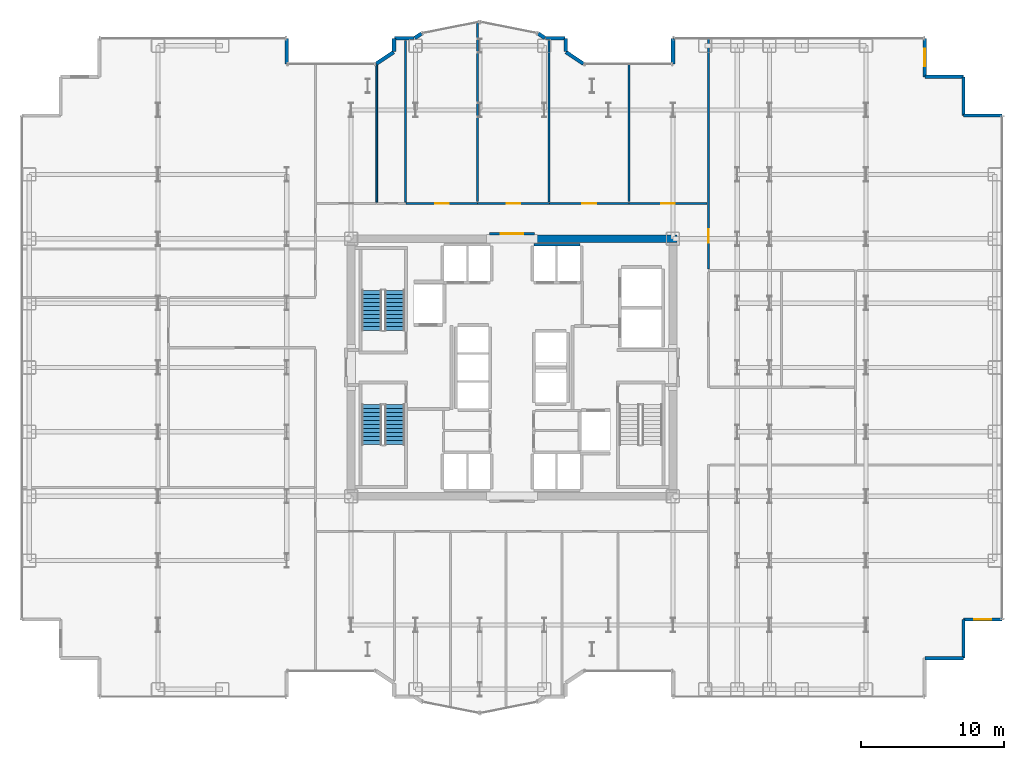
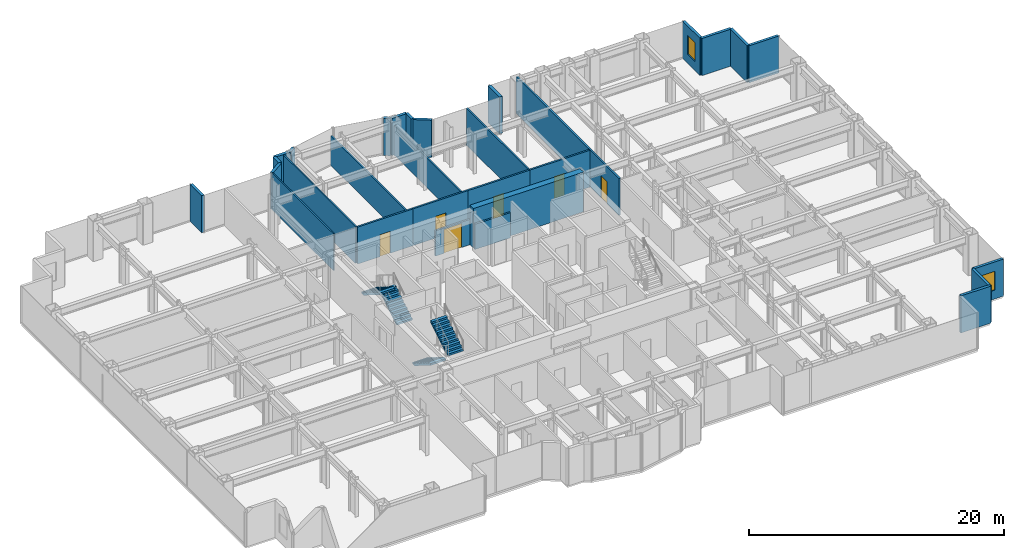
# One storey, part 24 of 26: 30 walls, 6 doors, 4 stair flights, 2 windows, 8 openings, 2 elements without a shape of their own.
"""IFC4 building model written with IfcOpenShell, lengths in metres."""

from ifc_helpers import new_model, si_unit, direction, frame, frame_2d, origin, place, context, subcontext, project, spatial, polyline, rectangle, outline, extrude, source, transform, mapped, material, layer, layer_set, type_object, element, fill, aggregate, save


model = new_model("IFC4")

# Units and contexts
model_context = context("Model", 3, precision=1e-05, world=origin(), true_north=direction((0.0, 1.0)))
body_context = subcontext(model_context, "Body", "Model", "MODEL_VIEW")
ifc_project = project(units=[si_unit("LENGTHUNIT", "METRE"), si_unit("AREAUNIT", "SQUARE_METRE"), si_unit("VOLUMEUNIT", "CUBIC_METRE"), si_unit("PLANEANGLEUNIT", "RADIAN"), si_unit("MASSUNIT", "GRAM", prefix="KILO")], contexts=[model_context])

# Site, building, storey
site_placement = place(None, origin())
site = spatial("IfcSite", under=ifc_project, at=site_placement, CompositionType="ELEMENT")
building_placement = place(site_placement, origin())
building = spatial("IfcBuilding", under=site, at=building_placement, Name="Nefas-Gora Pilgrimage Tower", CompositionType="ELEMENT")
storey_placement = place(building_placement, frame((0.0, 0.0, 94.60009765625)))
storey = spatial("IfcBuildingStorey", under=building, at=storey_placement, Name="L22", CompositionType="ELEMENT", Elevation=94.60009765625)

# Walls
ifc_material_1 = material(Name="Concrete C60/75", Category="concrete")
ifc_layer_1 = layer(ifc_material_1, 0.550048828125)
ifc_layer_set_1 = layer_set([ifc_layer_1], Name="Concrete C60/75")
wall_type_1 = type_object("IfcWallType", Name="SW-CORE-550", PredefinedType="SHEAR", material=ifc_layer_set_1)
shared_shape_1 = source(origin(), body_context, "Body", "SweptSolid", [
    extrude(rectangle(XDim=9.974853515625, YDim=0.550048828125, at=frame_2d((4.9873046875, 0.0))), origin(), (0.0, 0.0, 1.0), 3.7998046875),
])
wall_1_placement = place(storey_placement, frame((1.550048828125, 9.0, 0.0), z_axis=(0.0, 0.0, 1.0), x_axis=(1.0, 0.0, 0.0)))
element("IfcWall", 1, at=wall_1_placement, inside=storey, type_object=wall_type_1, Name="L22 Core Shear Wall N-East", PredefinedType="SHEAR", context=body_context, shape_type="MappedRepresentation", body=[
    mapped(shared_shape_1, transform((0.0, 0.0, 0.0), x_axis=(1.0, 0.0, 0.0), y_axis=(0.0, 1.0, 0.0), z_axis=(0.0, 0.0, 1.0), scale=1.0)),
])
ifc_material_2 = material(Name="Precast concrete C40/50", Category="concrete")
ifc_layer_2 = layer(ifc_material_2, 0.260009765625)
ifc_layer_set_2 = layer_set([ifc_layer_2], Name="Precast concrete C40/50")
wall_type_2 = type_object("IfcWallType", Name="EW-PORTAL-260", PredefinedType="SOLIDWALL", material=ifc_layer_set_2)
shared_shape_2 = source(origin(), body_context, "Body", "SweptSolid", [
    extrude(rectangle(XDim=1.800048828125, YDim=0.260009765625, at=frame_2d((0.89990234375, 0.0))), origin(), (0.0, 0.0, 1.0), 3.5498046875),
])
for number, where, z_axis, x_axis, name in (
    (2, (11.25, 23.02001953125, 0.0), (0.0, 0.0, 1.0), (0.0, -1.0, 0.0), "L22 Lobe Shoulder Precast Spandrel Pier 10"),
    (3, (-15.75, 21.219970703125, 0.0), (0.0, 0.0, 1.0), (0.0, 1.0, 0.0), "L22 Lobe Shoulder Precast Spandrel Pier 19"),
):
    element("IfcWall", number, at=place(storey_placement, frame(where, z_axis=z_axis, x_axis=x_axis)), inside=storey, type_object=wall_type_2, Name=name, PredefinedType="SOLIDWALL", context=body_context, shape_type="MappedRepresentation", body=[
        mapped(shared_shape_2, transform((0.0, 0.0, 0.0), x_axis=(1.0, 0.0, 0.0), y_axis=(0.0, 1.0, 0.0), z_axis=(0.0, 0.0, 1.0), scale=1.0)),
    ])
ifc_material_3 = material(Name="Precast concrete C45/55", Category="concrete")
ifc_layer_3 = layer(ifc_material_3, 0.239990234375)
ifc_layer_set_3 = layer_set([ifc_layer_3], Name="Precast concrete C45/55")
wall_type_3 = type_object("IfcWallType", Name="EW-SERR-240", PredefinedType="SHEAR", material=ifc_layer_set_3)
shared_shape_3 = source(origin(), body_context, "Body", "SweptSolid", [
    extrude(rectangle(XDim=2.699951171875, YDim=0.239990234375, at=frame_2d((1.35009765625, 0.0))), origin(), (0.0, 0.0, 1.0), 3.5498046875),
])
for number, where, z_axis, x_axis, name in (
    (4, (28.8701171875, -20.320068359375, 0.0), (0.0, 0.0, 1.0), (1.0, 0.0, 0.0), "L22 Serrated Corner Shear Pier Wall 3"),
    (5, (31.570068359375, -20.320068359375, 0.0), (0.0, 0.0, 1.0), (0.0, 1.0, 0.0), "L22 Serrated Corner Shear Pier Wall 4"),
):
    element("IfcWall", number, at=place(storey_placement, frame(where, z_axis=z_axis, x_axis=x_axis)), inside=storey, type_object=wall_type_3, Name=name, PredefinedType="SHEAR", context=body_context, shape_type="MappedRepresentation", body=[
        mapped(shared_shape_3, transform((0.0, 0.0, 0.0), x_axis=(1.0, 0.0, 0.0), y_axis=(0.0, 1.0, 0.0), z_axis=(0.0, 0.0, 1.0), scale=1.0)),
    ])

# Wall, opening, window
wall_2_placement = place(storey_placement, frame((31.570068359375, -17.6201171875, 0.0), z_axis=(0.0, 0.0, 1.0), x_axis=(1.0, 0.0, 0.0)))
wall_2 = element("IfcWall", 6, at=wall_2_placement, inside=storey, type_object=wall_type_3, Name="L22 Serrated Corner Shear Pier Wall 5", PredefinedType="SHEAR", context=body_context, shape_type="MappedRepresentation", body=[
    mapped(shared_shape_3, transform((0.0, 0.0, 0.0), x_axis=(1.0, 0.0, 0.0), y_axis=(0.0, 1.0, 0.0), z_axis=(0.0, 0.0, 1.0), scale=1.0)),
])
opening_1_placement = place(wall_2_placement, frame((0.75, 0.0, 0.85009765625)))
opening_1 = element("IfcOpeningElement", 7, at=opening_1_placement, cuts=wall_2, Name="Opening W-V1", PredefinedType="OPENING", context=body_context, shape_type="SweptSolid", body=[
    extrude(rectangle(XDim=1.199951171875, YDim=1.800048828125, at=frame_2d((0.60009765625, 0.89990234375))), frame((0.0, 0.1298828125, 0.0), z_axis=(0.0, -1.0, 0.0), x_axis=(1.0, 0.0, 0.0)), (0.0, 0.0, 1.0), 0.260009765625),
])
ifc_material_4 = material(Name="Dark ceramic-fritted operable aluminium-glass window", Category="aluminium")
window_type = type_object("IfcWindowType", Name="WIN-VENT-1200x1800", PartitioningType="SINGLE_PANEL", PredefinedType="WINDOW", material=ifc_material_4)
shared_shape_4 = source(origin(), body_context, "Body", "SweptSolid", [
    extrude(rectangle(XDim=1.199951171875, YDim=1.800048828125, at=frame_2d((0.60009765625, 0.89990234375))), frame((0.0, 0.030029296875, 0.0), z_axis=(0.0, -1.0, 0.0), x_axis=(1.0, 0.0, 0.0)), (0.0, 0.0, 1.0), 0.06005859375),
])
window_1_placement = place(opening_1_placement, origin())
window_1 = element("IfcWindow", 8, at=window_1_placement, inside=storey, type_object=window_type, Name="L22 Operable Parallel-Outswing Window 5", OverallHeight=1.800048828125, OverallWidth=1.199951171875, PartitioningType="SINGLE_PANEL", PredefinedType="WINDOW", context=body_context, shape_type="MappedRepresentation", body=[
    mapped(shared_shape_4, transform((0.0, 0.0, 0.0), x_axis=(1.0, 0.0, 0.0), y_axis=(0.0, 1.0, 0.0), z_axis=(0.0, 0.0, 1.0), scale=1.0)),
])
fill(opening_1, window_1)

# Walls
for number, where, z_axis, x_axis, name in (
    (9, (34.27001953125, 17.6201171875, 0.0), (0.0, 0.0, 1.0), (-1.0, 0.0, 0.0), "L22 Serrated Corner Shear Pier Wall 6"),
    (10, (31.570068359375, 17.6201171875, 0.0), (0.0, 0.0, 1.0), (0.0, 1.0, 0.0), "L22 Serrated Corner Shear Pier Wall 7"),
    (11, (31.570068359375, 20.320068359375, 0.0), (0.0, 0.0, 1.0), (-1.0, 0.0, 0.0), "L22 Serrated Corner Shear Pier Wall 8"),
):
    element("IfcWall", number, at=place(storey_placement, frame(where, z_axis=z_axis, x_axis=x_axis)), inside=storey, type_object=wall_type_3, Name=name, PredefinedType="SHEAR", context=body_context, shape_type="MappedRepresentation", body=[
        mapped(shared_shape_3, transform((0.0, 0.0, 0.0), x_axis=(1.0, 0.0, 0.0), y_axis=(0.0, 1.0, 0.0), z_axis=(0.0, 0.0, 1.0), scale=1.0)),
    ])

# Wall, opening, window
wall_3_placement = place(storey_placement, frame((28.8701171875, 20.320068359375, 0.0), z_axis=(0.0, 0.0, 1.0), x_axis=(0.0, 1.0, 0.0)))
wall_3 = element("IfcWall", 12, at=wall_3_placement, inside=storey, type_object=wall_type_3, Name="L22 Serrated Corner Shear Pier Wall 9", PredefinedType="SHEAR", context=body_context, shape_type="MappedRepresentation", body=[
    mapped(shared_shape_3, transform((0.0, 0.0, 0.0), x_axis=(1.0, 0.0, 0.0), y_axis=(0.0, 1.0, 0.0), z_axis=(0.0, 0.0, 1.0), scale=1.0)),
])
opening_2_placement = place(wall_3_placement, frame((0.75, 0.0, 0.85009765625)))
opening_2 = element("IfcOpeningElement", 13, at=opening_2_placement, cuts=wall_3, Name="Opening W-V1", PredefinedType="OPENING", context=body_context, shape_type="SweptSolid", body=[
    extrude(rectangle(XDim=1.199951171875, YDim=1.800048828125, at=frame_2d((0.60009765625, 0.89990234375))), frame((0.0, 0.1298828125, 0.0), z_axis=(0.0, -1.0, 0.0), x_axis=(1.0, 0.0, 0.0)), (0.0, 0.0, 1.0), 0.260009765625),
])
window_2_placement = place(opening_2_placement, origin())
window_2 = element("IfcWindow", 14, at=window_2_placement, inside=storey, type_object=window_type, Name="L22 Operable Parallel-Outswing Window 9", OverallHeight=1.800048828125, OverallWidth=1.199951171875, PartitioningType="SINGLE_PANEL", PredefinedType="WINDOW", context=body_context, shape_type="MappedRepresentation", body=[
    mapped(shared_shape_4, transform((0.0, 0.0, 0.0), x_axis=(1.0, 0.0, 0.0), y_axis=(0.0, 1.0, 0.0), z_axis=(0.0, 0.0, 1.0), scale=1.0)),
])
fill(opening_2, window_2)

# Walls
shared_shape_5 = source(origin(), body_context, "Body", "SweptSolid", [
    extrude(rectangle(XDim=1.468994140625, YDim=0.260009765625, at=frame_2d((0.734375, 0.0))), origin(), (0.0, 0.0, 1.0), 3.5498046875),
])
for number, where, z_axis, x_axis, name in (
    (15, (4.99462890625, 21.235595703125, 0.0), (0.0, 0.0, 1.0), (-0.831461760506, 0.555581983884, 0.0), "L22 Lobe Shoulder Precast Spandrel Pier 11"),
    (16, (-8.273193359375, 22.0517578125, 0.0), (0.0, 0.0, 1.0), (-0.831461760506, -0.555581983884, 0.0), "L22 Lobe Shoulder Precast Spandrel Pier 18"),
):
    element("IfcWall", number, at=place(storey_placement, frame(where, z_axis=z_axis, x_axis=x_axis)), inside=storey, type_object=wall_type_2, Name=name, PredefinedType="SOLIDWALL", context=body_context, shape_type="MappedRepresentation", body=[
        mapped(shared_shape_5, transform((0.0, 0.0, 0.0), x_axis=(1.0, 0.0, 0.0), y_axis=(0.0, 1.0, 0.0), z_axis=(0.0, 0.0, 1.0), scale=1.0)),
    ])
shared_shape_6 = source(origin(), body_context, "Body", "SweptSolid", [
    extrude(rectangle(XDim=0.896728515625, YDim=0.260009765625, at=frame_2d((0.4482421875, 0.0))), origin(), (0.0, 0.0, 1.0), 3.5498046875),
])
for number, where, z_axis, x_axis, name in (
    (17, (3.75, 22.09521484375, 0.0), (0.0, 0.0, 1.0), (0.0, 1.0, 0.0), "L22 Lobe Shoulder Precast Spandrel Pier 12"),
    (18, (-8.25, 22.991943359375, 0.0), (0.0, 0.0, 1.0), (0.0, -1.0, 0.0), "L22 Lobe Shoulder Precast Spandrel Pier 17"),
):
    element("IfcWall", number, at=place(storey_placement, frame(where, z_axis=z_axis, x_axis=x_axis)), inside=storey, type_object=wall_type_2, Name=name, PredefinedType="SOLIDWALL", context=body_context, shape_type="MappedRepresentation", body=[
        mapped(shared_shape_6, transform((0.0, 0.0, 0.0), x_axis=(1.0, 0.0, 0.0), y_axis=(0.0, 1.0, 0.0), z_axis=(0.0, 0.0, 1.0), scale=1.0)),
    ])
shared_shape_7 = source(origin(), body_context, "Body", "SweptSolid", [
    extrude(rectangle(XDim=1.369873046875, YDim=0.260009765625, at=frame_2d((0.68505859375, 0.0))), origin(), (0.0, 0.0, 1.0), 3.5498046875),
])
for number, where, z_axis, x_axis, name in (
    (19, (3.721923828125, 23.02001953125, 0.0), (0.0, 0.0, 1.0), (-1.0, 0.0, 0.0), "L22 Lobe Shoulder Precast Spandrel Pier 13"),
    (20, (-6.85205078125, 23.02001953125, 0.0), (0.0, 0.0, 1.0), (-1.0, 0.0, 0.0), "L22 Lobe Shoulder Precast Spandrel Pier 16"),
):
    element("IfcWall", number, at=place(storey_placement, frame(where, z_axis=z_axis, x_axis=x_axis)), inside=storey, type_object=wall_type_2, Name=name, PredefinedType="SOLIDWALL", context=body_context, shape_type="MappedRepresentation", body=[
        mapped(shared_shape_7, transform((0.0, 0.0, 0.0), x_axis=(1.0, 0.0, 0.0), y_axis=(0.0, 1.0, 0.0), z_axis=(0.0, 0.0, 1.0), scale=1.0)),
    ])
shared_shape_8 = source(origin(), body_context, "Body", "SweptSolid", [
    extrude(rectangle(XDim=0.5654296875, YDim=0.260009765625, at=frame_2d((0.28271484375, 0.0))), origin(), (0.0, 0.0, 1.0), 3.5498046875),
])
for number, where, z_axis, x_axis, name in (
    (21, (2.30078125, 23.03564453125, 0.0), (0.0, 0.0, 1.0), (-0.831651492666, 0.555297933317, 0.0), "L22 Lobe Shoulder Precast Spandrel Pier 14"),
    (22, (-6.33056640625, 23.349609375, 0.0), (0.0, 0.0, 1.0), (-0.831651492666, -0.555297933317, 0.0), "L22 Lobe Shoulder Precast Spandrel Pier 15"),
):
    element("IfcWall", number, at=place(storey_placement, frame(where, z_axis=z_axis, x_axis=x_axis)), inside=storey, type_object=wall_type_2, Name=name, PredefinedType="SOLIDWALL", context=body_context, shape_type="MappedRepresentation", body=[
        mapped(shared_shape_8, transform((0.0, 0.0, 0.0), x_axis=(1.0, 0.0, 0.0), y_axis=(0.0, 1.0, 0.0), z_axis=(0.0, 0.0, 1.0), scale=1.0)),
    ])
ifc_material_5 = material(Name="Gypsum acoustic stud partition")
ifc_layer_4 = layer(ifc_material_5, 0.159912109375)
ifc_layer_set_4 = layer_set([ifc_layer_4], Name="Gypsum acoustic stud partition")
wall_type_4 = type_object("IfcWallType", Name="IW-CORR-160", PredefinedType="PARTITIONING", material=ifc_layer_set_4)
shared_shape_9 = source(origin(), body_context, "Body", "SweptSolid", [
    extrude(rectangle(XDim=3.199951171875, YDim=0.159912109375, at=frame_2d((1.60009765625, 0.0))), origin(), (0.0, 0.0, 1.0), 2.4248046875),
])
wall_4_placement = place(storey_placement, frame((4.75, 8.580078125, 0.0), z_axis=(0.0, 0.0, 1.0), x_axis=(-1.0, 0.0, 0.0)))
element("IfcWall", 23, at=wall_4_placement, inside=storey, type_object=wall_type_4, Name="L22 Hoistway Wall PL1-E-N", PredefinedType="PARTITIONING", context=body_context, shape_type="MappedRepresentation", body=[
    mapped(shared_shape_9, transform((0.0, 0.0, 0.0), x_axis=(1.0, 0.0, 0.0), y_axis=(0.0, 1.0, 0.0), z_axis=(0.0, 0.0, 1.0), scale=1.0)),
])
ifc_material_6 = material(Name="Moisture-resistant fire-rated gypsum partition")
ifc_layer_5 = layer(ifc_material_6, 0.1201171875)
ifc_layer_set_5 = layer_set([ifc_layer_5], Name="Moisture-resistant fire-rated gypsum partition")
wall_type_5 = type_object("IfcWallType", Name="IW-WET-120", PredefinedType="PLUMBINGWALL", material=ifc_layer_set_5)
shared_shape_10 = source(origin(), body_context, "Body", "SweptSolid", [
    extrude(rectangle(XDim=11.280029296875, YDim=0.1201171875, at=frame_2d((5.64013671875, 0.0))), origin(), (0.0, 0.0, 1.0), 3.534912109375),
])
wall_5_placement = place(storey_placement, frame((-7.449951171875, 11.570068359375, 0.0), z_axis=(0.0, 0.0, 1.0), x_axis=(0.0, 1.0, 0.0)))
element("IfcWall", 24, at=wall_5_placement, inside=storey, type_object=wall_type_5, Name="L22 Accessible Unisex WC Partition Wall 26", PredefinedType="PLUMBINGWALL", context=body_context, shape_type="MappedRepresentation", body=[
    mapped(shared_shape_10, transform((0.0, 0.0, 0.0), x_axis=(1.0, 0.0, 0.0), y_axis=(0.0, 1.0, 0.0), z_axis=(0.0, 0.0, 1.0), scale=1.0)),
])
shared_shape_11 = source(origin(), body_context, "Body", "SweptSolid", [
    extrude(rectangle(XDim=9.586669921875, YDim=0.1201171875, at=frame_2d((4.79345703125, 0.0))), origin(), (0.0, 0.0, 1.0), 3.534912109375),
])
wall_6_placement = place(storey_placement, frame((-9.449951171875, 11.570068359375, 0.0), z_axis=(0.0, 0.0, 1.0), x_axis=(0.0, 1.0, 0.0)))
element("IfcWall", 25, at=wall_6_placement, inside=storey, type_object=wall_type_5, Name="L22 Accessible Unisex WC Partition Wall 27", PredefinedType="PLUMBINGWALL", context=body_context, shape_type="MappedRepresentation", body=[
    mapped(shared_shape_11, transform((0.0, 0.0, 0.0), x_axis=(1.0, 0.0, 0.0), y_axis=(0.0, 1.0, 0.0), z_axis=(0.0, 0.0, 1.0), scale=1.0)),
])
ifc_material_7 = material(Name="Gypsum twin-stud partition")
ifc_layer_6 = layer(ifc_material_7, 0.139892578125)
ifc_layer_set_6 = layer_set([ifc_layer_6], Name="Gypsum twin-stud partition")
wall_type_6 = type_object("IfcWallType", Name="IW-UNIT-140", PredefinedType="PARTITIONING", material=ifc_layer_set_6)
shared_shape_12 = source(origin(), body_context, "Body", "SweptSolid", [
    extrude(rectangle(XDim=11.260009765625, YDim=0.139892578125, at=frame_2d((5.6298828125, 0.0))), origin(), (0.0, 0.0, 1.0), 2.824951171875),
])
wall_7_placement = place(storey_placement, frame((2.594970703125, 11.590087890625, 0.0), z_axis=(0.0, 0.0, 1.0), x_axis=(0.0, 1.0, 0.0)))
element("IfcWall", 26, at=wall_7_placement, inside=storey, type_object=wall_type_6, Name="L22 Pilgrim Contemplative Lounge Partition Wall 52", PredefinedType="PARTITIONING", context=body_context, shape_type="MappedRepresentation", body=[
    mapped(shared_shape_12, transform((0.0, 0.0, 0.0), x_axis=(1.0, 0.0, 0.0), y_axis=(0.0, 1.0, 0.0), z_axis=(0.0, 0.0, 1.0), scale=1.0)),
])
shared_shape_13 = source(origin(), body_context, "Body", "SweptSolid", [
    extrude(rectangle(XDim=9.64990234375, YDim=0.139892578125, at=frame_2d((4.824951171875, 0.0))), origin(), (0.0, 0.0, 1.0), 3.534912109375),
])
wall_8_placement = place(storey_placement, frame((8.195068359375, 11.590087890625, 0.0), z_axis=(0.0, 0.0, 1.0), x_axis=(0.0, 1.0, 0.0)))
element("IfcWall", 27, at=wall_8_placement, inside=storey, type_object=wall_type_6, Name="L22 Pilgrim Contemplative Lounge Partition Wall 54", PredefinedType="PARTITIONING", context=body_context, shape_type="MappedRepresentation", body=[
    mapped(shared_shape_13, transform((0.0, 0.0, 0.0), x_axis=(1.0, 0.0, 0.0), y_axis=(0.0, 1.0, 0.0), z_axis=(0.0, 0.0, 1.0), scale=1.0)),
])

# Wall, opening, door
shared_shape_14 = source(origin(), body_context, "Body", "SweptSolid", [
    extrude(rectangle(XDim=5.425048828125, YDim=0.159912109375, at=frame_2d((2.71240234375, 0.0))), origin(), (0.0, 0.0, 1.0), 3.534912109375),
])
wall_9_placement = place(storey_placement, frame((8.195068359375, 11.469970703125, 0.0), z_axis=(0.0, 0.0, 1.0), x_axis=(1.0, 0.0, 0.0)))
wall_9 = element("IfcWall", 28, at=wall_9_placement, inside=storey, type_object=wall_type_4, Name="L22 Pilgrim Contemplative Lounge Partition Wall 55", PredefinedType="PARTITIONING", context=body_context, shape_type="MappedRepresentation", body=[
    mapped(shared_shape_14, transform((0.0, 0.0, 0.0), x_axis=(1.0, 0.0, 0.0), y_axis=(0.0, 1.0, 0.0), z_axis=(0.0, 0.0, 1.0), scale=1.0)),
])
opening_3_placement = place(wall_9_placement, frame((2.237548828125, 0.0, 0.0)))
opening_3 = element("IfcOpeningElement", 29, at=opening_3_placement, cuts=wall_9, Name="Opening ID-GR1", PredefinedType="OPENING", context=body_context, shape_type="SweptSolid", body=[
    extrude(rectangle(XDim=0.949951171875, YDim=2.10009765625, at=frame_2d((0.47509765625, 1.050048828125))), frame((0.0, 0.08984375, 0.0), z_axis=(0.0, -1.0, 0.0), x_axis=(1.0, 0.0, 0.0)), (0.0, 0.0, 1.0), 0.179931640625),
])
ifc_material_8 = material(Name="Solid core oak fire-rated guest entrance door")
door_type_1 = type_object("IfcDoorType", Name="DR-INT-GUEST-950", OperationType="NOTDEFINED", PredefinedType="DOOR", material=ifc_material_8)
shared_shape_15 = source(origin(), body_context, "Body", "SweptSolid", [
    extrude(rectangle(XDim=0.949951171875, YDim=2.10009765625, at=frame_2d((0.47509765625, 1.050048828125))), frame((0.0, 0.02490234375, 0.0), z_axis=(0.0, -1.0, 0.0), x_axis=(1.0, 0.0, 0.0)), (0.0, 0.0, 1.0), 0.050048828125),
])
door_1_placement = place(opening_3_placement, origin())
door_1 = element("IfcDoor", 30, at=door_1_placement, inside=storey, type_object=door_type_1, Name="L22 Pilgrim Contemplative Lounge Door 25", OperationType="SINGLE_SWING_LEFT", OverallHeight=2.10009765625, OverallWidth=0.949951171875, PredefinedType="DOOR", context=body_context, shape_type="MappedRepresentation", body=[
    mapped(shared_shape_15, transform((0.0, 0.0, 0.0), x_axis=(1.0, 0.0, 0.0), y_axis=(0.0, 1.0, 0.0), z_axis=(0.0, 0.0, 1.0), scale=1.0)),
])
fill(opening_3, door_1)

shared_shape_16 = source(origin(), body_context, "Body", "SweptSolid", [
    extrude(rectangle(XDim=16.135009765625, YDim=0.159912109375, at=frame_2d((8.0673828125, 0.0))), origin(), (0.0, 0.0, 1.0), 3.534912109375),
])
wall_10_placement = place(storey_placement, frame((13.739990234375, 6.905029296875, 0.0), z_axis=(0.0, 0.0, 1.0), x_axis=(0.0, 1.0, 0.0)))
wall_10 = element("IfcWall", 31, at=wall_10_placement, inside=storey, type_object=wall_type_4, Name="L22 Pilgrim Contemplative Lounge Partition Wall 47", PredefinedType="PARTITIONING", context=body_context, shape_type="MappedRepresentation", body=[
    mapped(shared_shape_16, transform((0.0, 0.0, 0.0), x_axis=(1.0, 0.0, 0.0), y_axis=(0.0, 1.0, 0.0), z_axis=(0.0, 0.0, 1.0), scale=1.0)),
])
opening_4_placement = place(wall_10_placement, frame((1.827392578125, 0.0, 0.0)))
opening_4 = element("IfcOpeningElement", 32, at=opening_4_placement, cuts=wall_10, Name="Opening ID-GR1", PredefinedType="OPENING", context=body_context, shape_type="SweptSolid", body=[
    extrude(rectangle(XDim=0.949951171875, YDim=2.10009765625, at=frame_2d((0.47509765625, 1.050048828125))), frame((0.0, 0.08984375, 0.0), z_axis=(0.0, -1.0, 0.0), x_axis=(1.0, 0.0, 0.0)), (0.0, 0.0, 1.0), 0.179931640625),
])
door_2_placement = place(opening_4_placement, origin())
door_2 = element("IfcDoor", 33, at=door_2_placement, inside=storey, type_object=door_type_1, Name="L22 Pilgrim Contemplative Lounge Door 20", OperationType="SINGLE_SWING_RIGHT", OverallHeight=2.10009765625, OverallWidth=0.949951171875, PredefinedType="DOOR", context=body_context, shape_type="MappedRepresentation", body=[
    mapped(shared_shape_15, transform((0.0, 0.0, 0.0), x_axis=(1.0, 0.0, 0.0), y_axis=(0.0, 1.0, 0.0), z_axis=(0.0, 0.0, 1.0), scale=1.0)),
])
fill(opening_4, door_2)

shared_shape_17 = source(origin(), body_context, "Body", "SweptSolid", [
    extrude(rectangle(XDim=5.005126953125, YDim=0.159912109375, at=frame_2d((2.50244140625, 0.0))), origin(), (0.0, 0.0, 1.0), 3.534912109375),
])
wall_11_placement = place(storey_placement, frame((-7.405029296875, 11.469970703125, 0.0), z_axis=(0.0, 0.0, 1.0), x_axis=(1.0, 0.0, 0.0)))
wall_11 = element("IfcWall", 34, at=wall_11_placement, inside=storey, type_object=wall_type_4, Name="L22 Pilgrim Contemplative Lounge Partition Wall 49", PredefinedType="PARTITIONING", context=body_context, shape_type="MappedRepresentation", body=[
    mapped(shared_shape_17, transform((0.0, 0.0, 0.0), x_axis=(1.0, 0.0, 0.0), y_axis=(0.0, 1.0, 0.0), z_axis=(0.0, 0.0, 1.0), scale=1.0)),
])
opening_5_placement = place(wall_11_placement, frame((2.027587890625, 0.0, 0.0)))
opening_5 = element("IfcOpeningElement", 35, at=opening_5_placement, cuts=wall_11, Name="Opening ID-GR1", PredefinedType="OPENING", context=body_context, shape_type="SweptSolid", body=[
    extrude(rectangle(XDim=0.949951171875, YDim=2.10009765625, at=frame_2d((0.47509765625, 1.050048828125))), frame((0.0, 0.08984375, 0.0), z_axis=(0.0, -1.0, 0.0), x_axis=(1.0, 0.0, 0.0)), (0.0, 0.0, 1.0), 0.179931640625),
])
door_3_placement = place(opening_5_placement, origin())
door_3 = element("IfcDoor", 36, at=door_3_placement, inside=storey, type_object=door_type_1, Name="L22 Pilgrim Contemplative Lounge Door 22", OperationType="SINGLE_SWING_RIGHT", OverallHeight=2.10009765625, OverallWidth=0.949951171875, PredefinedType="DOOR", context=body_context, shape_type="MappedRepresentation", body=[
    mapped(shared_shape_15, transform((0.0, 0.0, 0.0), x_axis=(1.0, 0.0, 0.0), y_axis=(0.0, 1.0, 0.0), z_axis=(0.0, 0.0, 1.0), scale=1.0)),
])
fill(opening_5, door_3)

# Wall
shared_shape_18 = source(origin(), body_context, "Body", "SweptSolid", [
    extrude(rectangle(XDim=12.57470703125, YDim=0.139892578125, at=frame_2d((6.287353515625, 0.0))), origin(), (0.0, 0.0, 1.0), 2.824951171875),
])
wall_12_placement = place(storey_placement, frame((-2.409912109375, 11.590087890625, 0.0), z_axis=(0.0, 0.0, 1.0), x_axis=(0.0, 1.0, 0.0)))
element("IfcWall", 37, at=wall_12_placement, inside=storey, type_object=wall_type_6, Name="L22 Pilgrim Contemplative Lounge Partition Wall 50", PredefinedType="PARTITIONING", context=body_context, shape_type="MappedRepresentation", body=[
    mapped(shared_shape_18, transform((0.0, 0.0, 0.0), x_axis=(1.0, 0.0, 0.0), y_axis=(0.0, 1.0, 0.0), z_axis=(0.0, 0.0, 1.0), scale=1.0)),
])

# Wall, opening, door
shared_shape_19 = source(origin(), body_context, "Body", "SweptSolid", [
    extrude(rectangle(XDim=5.0048828125, YDim=0.159912109375, at=frame_2d((2.50244140625, 0.0))), origin(), (0.0, 0.0, 1.0), 3.534912109375),
])
wall_13_placement = place(storey_placement, frame((-2.39990234375, 11.469970703125, 0.0), z_axis=(0.0, 0.0, 1.0), x_axis=(1.0, 0.0, 0.0)))
wall_13 = element("IfcWall", 38, at=wall_13_placement, inside=storey, type_object=wall_type_4, Name="L22 Pilgrim Contemplative Lounge Partition Wall 51", PredefinedType="PARTITIONING", context=body_context, shape_type="MappedRepresentation", body=[
    mapped(shared_shape_19, transform((0.0, 0.0, 0.0), x_axis=(1.0, 0.0, 0.0), y_axis=(0.0, 1.0, 0.0), z_axis=(0.0, 0.0, 1.0), scale=1.0)),
])
opening_6_placement = place(wall_13_placement, frame((2.027587890625, 0.0, 0.0)))
opening_6 = element("IfcOpeningElement", 39, at=opening_6_placement, cuts=wall_13, Name="Opening ID-GR1", PredefinedType="OPENING", context=body_context, shape_type="SweptSolid", body=[
    extrude(rectangle(XDim=0.949951171875, YDim=2.10009765625, at=frame_2d((0.47509765625, 1.050048828125))), frame((0.0, 0.08984375, 0.0), z_axis=(0.0, -1.0, 0.0), x_axis=(1.0, 0.0, 0.0)), (0.0, 0.0, 1.0), 0.179931640625),
])
door_4_placement = place(opening_6_placement, origin())
door_4 = element("IfcDoor", 40, at=door_4_placement, inside=storey, type_object=door_type_1, Name="L22 Pilgrim Contemplative Lounge Door 23", OperationType="SINGLE_SWING_LEFT", OverallHeight=2.10009765625, OverallWidth=0.949951171875, PredefinedType="DOOR", context=body_context, shape_type="MappedRepresentation", body=[
    mapped(shared_shape_15, transform((0.0, 0.0, 0.0), x_axis=(1.0, 0.0, 0.0), y_axis=(0.0, 1.0, 0.0), z_axis=(0.0, 0.0, 1.0), scale=1.0)),
])
fill(opening_6, door_4)

shared_shape_20 = source(origin(), body_context, "Body", "SweptSolid", [
    extrude(rectangle(XDim=5.610107421875, YDim=0.159912109375, at=frame_2d((2.80517578125, 0.0))), origin(), (0.0, 0.0, 1.0), 3.534912109375),
])
wall_14_placement = place(storey_placement, frame((2.594970703125, 11.469970703125, 0.0), z_axis=(0.0, 0.0, 1.0), x_axis=(1.0, 0.0, 0.0)))
wall_14 = element("IfcWall", 41, at=wall_14_placement, inside=storey, type_object=wall_type_4, Name="L22 Pilgrim Contemplative Lounge Partition Wall 53", PredefinedType="PARTITIONING", context=body_context, shape_type="MappedRepresentation", body=[
    mapped(shared_shape_20, transform((0.0, 0.0, 0.0), x_axis=(1.0, 0.0, 0.0), y_axis=(0.0, 1.0, 0.0), z_axis=(0.0, 0.0, 1.0), scale=1.0)),
])
opening_7_placement = place(wall_14_placement, frame((2.330078125, 0.0, 0.0)))
opening_7 = element("IfcOpeningElement", 42, at=opening_7_placement, cuts=wall_14, Name="Opening ID-GR1", PredefinedType="OPENING", context=body_context, shape_type="SweptSolid", body=[
    extrude(rectangle(XDim=0.949951171875, YDim=2.10009765625, at=frame_2d((0.47509765625, 1.050048828125))), frame((0.0, 0.08984375, 0.0), z_axis=(0.0, -1.0, 0.0), x_axis=(1.0, 0.0, 0.0)), (0.0, 0.0, 1.0), 0.179931640625),
])
door_5_placement = place(opening_7_placement, origin())
door_5 = element("IfcDoor", 43, at=door_5_placement, inside=storey, type_object=door_type_1, Name="L22 Pilgrim Contemplative Lounge Door 24", OperationType="SINGLE_SWING_RIGHT", OverallHeight=2.10009765625, OverallWidth=0.949951171875, PredefinedType="DOOR", context=body_context, shape_type="MappedRepresentation", body=[
    mapped(shared_shape_15, transform((0.0, 0.0, 0.0), x_axis=(1.0, 0.0, 0.0), y_axis=(0.0, 1.0, 0.0), z_axis=(0.0, 0.0, 1.0), scale=1.0)),
])
fill(opening_7, door_5)

shared_shape_21 = source(origin(), body_context, "Body", "SweptSolid", [
    extrude(rectangle(XDim=3.16015625, YDim=0.159912109375, at=frame_2d((1.580078125, 0.0))), origin(), (0.0, 0.0, 1.0), 2.4248046875),
])
wall_15_placement = place(storey_placement, frame((-1.580078125, 9.35009765625, 0.0), z_axis=(0.0, 0.0, 1.0), x_axis=(1.0, 0.0, 0.0)))
wall_15 = element("IfcWall", 44, at=wall_15_placement, inside=storey, type_object=wall_type_4, Name="L22 Central Lift Lobby North Portal Wall 13", PredefinedType="PARTITIONING", context=body_context, shape_type="MappedRepresentation", body=[
    mapped(shared_shape_21, transform((0.0, 0.0, 0.0), x_axis=(1.0, 0.0, 0.0), y_axis=(0.0, 1.0, 0.0), z_axis=(0.0, 0.0, 1.0), scale=1.0)),
])
opening_8_placement = place(wall_15_placement, frame((0.780029296875, 0.0, 0.0)))
opening_8 = element("IfcOpeningElement", 45, at=opening_8_placement, cuts=wall_15, Name="Opening ID-HL1", PredefinedType="OPENING", context=body_context, shape_type="SweptSolid", body=[
    extrude(rectangle(XDim=1.60009765625, YDim=2.300048828125, at=frame_2d((0.800048828125, 1.14990234375))), frame((0.0, 0.08984375, 0.0), z_axis=(0.0, -1.0, 0.0), x_axis=(1.0, 0.0, 0.0)), (0.0, 0.0, 1.0), 0.179931640625),
])
ifc_material_9 = material(Name="Double acoustic timber assembly hall door", Category="wood")
door_type_2 = type_object("IfcDoorType", Name="DR-INT-HALL-1600", OperationType="DOUBLE_DOOR_SINGLE_SWING", PredefinedType="DOOR", material=ifc_material_9)
shared_shape_22 = source(origin(), body_context, "Body", "SweptSolid", [
    extrude(rectangle(XDim=1.60009765625, YDim=2.300048828125, at=frame_2d((0.800048828125, 1.14990234375))), frame((0.0, 0.02490234375, 0.0), z_axis=(0.0, -1.0, 0.0), x_axis=(1.0, 0.0, 0.0)), (0.0, 0.0, 1.0), 0.050048828125),
])
door_6_placement = place(opening_8_placement, origin())
door_6 = element("IfcDoor", 46, at=door_6_placement, inside=storey, type_object=door_type_2, Name="L22 Central Lift Lobby North Portal Door 4", OperationType="DOUBLE_DOOR_SINGLE_SWING", OverallHeight=2.300048828125, OverallWidth=1.60009765625, PredefinedType="DOOR", context=body_context, shape_type="MappedRepresentation", body=[
    mapped(shared_shape_22, transform((0.0, 0.0, 0.0), x_axis=(1.0, 0.0, 0.0), y_axis=(0.0, 1.0, 0.0), z_axis=(0.0, 0.0, 1.0), scale=1.0)),
])
fill(opening_8, door_6)

# Stair, stair flights
ifc_material_10 = material(Name="Concrete C45/55", Category="concrete")
stair_type = type_object("IfcStairType", Name="STR-1400-R1727", PredefinedType="HALF_TURN_STAIR", material=ifc_material_10)
stair_1_placement = place(storey_placement, origin())
stair_1 = element("IfcStair", 47, at=stair_1_placement, inside=storey, type_object=stair_type, Name="L22 Pressurised Tower Exit Stair ST-01", PredefinedType="HALF_TURN_STAIR")
stair_flight_type = type_object("IfcStairFlightType", Name="STF-1400-R1727", PredefinedType="STRAIGHT", material=ifc_material_10)
shared_shape_23 = source(origin(), body_context, "Body", "SweptSolid", [
    extrude(outline(polyline([(0.0, 0.0), (0.0, 0.172607421875), (0.280029296875, 0.172607421875), (0.280029296875, 0.345458984375), (0.56005859375, 0.345458984375), (0.56005859375, 0.51806640625), (0.840087890625, 0.51806640625), (0.840087890625, 0.69091796875), (1.1201171875, 0.69091796875), (1.1201171875, 0.863525390625), (1.39990234375, 0.863525390625), (1.39990234375, 1.036376953125), (1.679931640625, 1.036376953125), (1.679931640625, 1.208984375), (1.9599609375, 1.208984375), (1.9599609375, 1.3818359375), (2.239990234375, 1.3818359375), (2.239990234375, 1.554443359375), (2.52001953125, 1.554443359375), (2.52001953125, 1.727294921875), (2.800048828125, 1.727294921875), (2.800048828125, 1.89990234375), (2.800048828125, 1.551025390625), (0.285400390625, 0.0), (0.0, 0.0)])), frame((0.0, 0.699951171875, 0.0), z_axis=(0.0, -1.0, 0.0), x_axis=(1.0, 0.0, 0.0)), (0.0, 0.0, 1.0), 1.39990234375),
])
stair_flight_1_placement = place(storey_placement, frame((-8.199951171875, 2.60009765625, 0.0), z_axis=(0.0, 0.0, 1.0), x_axis=(0.0, 1.0, 0.0)))
stair_flight_1 = element("IfcStairFlight", 48, at=stair_flight_1_placement, type_object=stair_flight_type, Name="ST-01 flight 1", NumberOfRisers=11, NumberOfTreads=10, PredefinedType="STRAIGHT", RiserHeight=0.172727273, TreadLength=0.28, context=body_context, shape_type="MappedRepresentation", body=[
    mapped(shared_shape_23, transform((0.0, 0.0, 0.0), x_axis=(1.0, 0.0, 0.0), y_axis=(0.0, 1.0, 0.0), z_axis=(0.0, 0.0, 1.0), scale=1.0)),
])
stair_flight_2_placement = place(storey_placement, frame((-9.800048828125, 5.39990234375, 1.89990234375), z_axis=(0.0, 0.0, 1.0), x_axis=(0.0, -1.0, 0.0)))
stair_flight_2 = element("IfcStairFlight", 49, at=stair_flight_2_placement, type_object=stair_flight_type, Name="ST-01 flight 2", NumberOfRisers=11, NumberOfTreads=10, PredefinedType="STRAIGHT", RiserHeight=0.172727273, TreadLength=0.28, context=body_context, shape_type="MappedRepresentation", body=[
    mapped(shared_shape_23, transform((0.0, 0.0, 0.0), x_axis=(1.0, 0.0, 0.0), y_axis=(0.0, 1.0, 0.0), z_axis=(0.0, 0.0, 1.0), scale=1.0)),
])
aggregate(stair_1, [stair_flight_1, stair_flight_2])

stair_2_placement = place(storey_placement, origin())
stair_2 = element("IfcStair", 50, at=stair_2_placement, inside=storey, type_object=stair_type, Name="L22 Pressurised Tower Exit Stair ST-03", PredefinedType="HALF_TURN_STAIR")
stair_flight_3_placement = place(storey_placement, frame((-9.800048828125, -2.60009765625, 0.0), z_axis=(0.0, 0.0, 1.0), x_axis=(0.0, -1.0, 0.0)))
stair_flight_3 = element("IfcStairFlight", 51, at=stair_flight_3_placement, type_object=stair_flight_type, Name="ST-03 flight 1", NumberOfRisers=11, NumberOfTreads=10, PredefinedType="STRAIGHT", RiserHeight=0.172727273, TreadLength=0.28, context=body_context, shape_type="MappedRepresentation", body=[
    mapped(shared_shape_23, transform((0.0, 0.0, 0.0), x_axis=(1.0, 0.0, 0.0), y_axis=(0.0, 1.0, 0.0), z_axis=(0.0, 0.0, 1.0), scale=1.0)),
])
stair_flight_4_placement = place(storey_placement, frame((-8.199951171875, -5.39990234375, 1.89990234375), z_axis=(0.0, 0.0, 1.0), x_axis=(0.0, 1.0, 0.0)))
stair_flight_4 = element("IfcStairFlight", 52, at=stair_flight_4_placement, type_object=stair_flight_type, Name="ST-03 flight 2", NumberOfRisers=11, NumberOfTreads=10, PredefinedType="STRAIGHT", RiserHeight=0.172727273, TreadLength=0.28, context=body_context, shape_type="MappedRepresentation", body=[
    mapped(shared_shape_23, transform((0.0, 0.0, 0.0), x_axis=(1.0, 0.0, 0.0), y_axis=(0.0, 1.0, 0.0), z_axis=(0.0, 0.0, 1.0), scale=1.0)),
])
aggregate(stair_2, [stair_flight_3, stair_flight_4])

save(model, "model.ifc")
